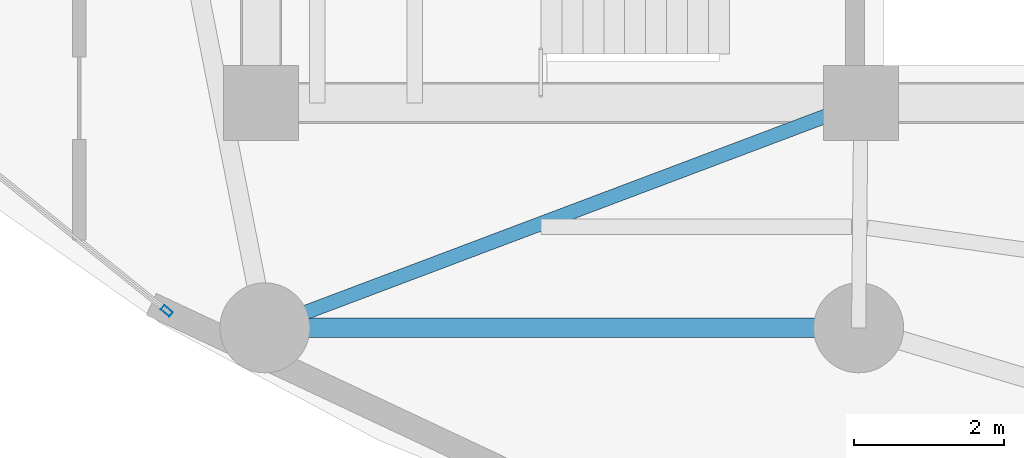
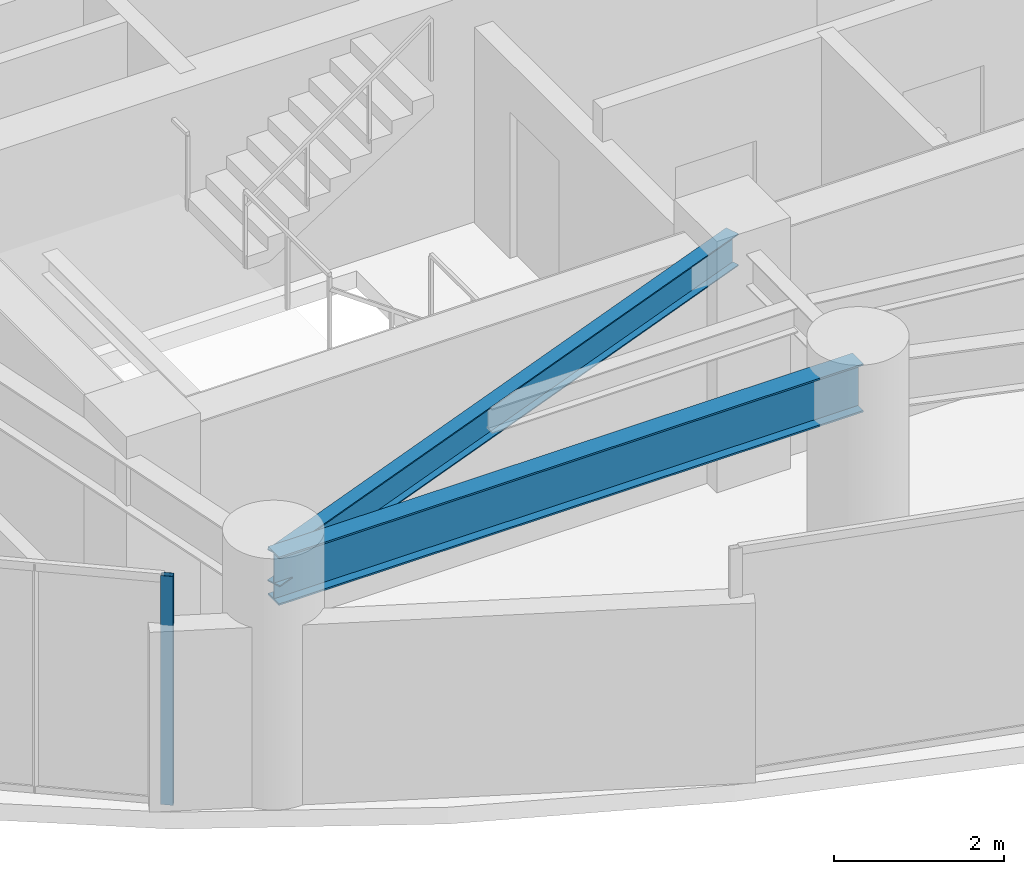
# One storey, part 2 of 33: 2 beams, 1 member, 1 element without a shape of its own.
"""IFC4 building model written with IfcOpenShell, lengths in metres."""

from ifc_helpers import new_model, si_unit, direction, frame, origin, origin_2d, place, context, subcontext, project, spatial, hollow_rectangle, i_section, extrude, material, layer, layer_set, material_profile, profile_set, type_object, element, aggregate, save


model = new_model("IFC4")

# Units and contexts
model_context = context("Model", 3, precision=1e-05, world=origin(), true_north=direction((0.0, 1.0)))
body_context = subcontext(model_context, "Body", "Model", "MODEL_VIEW")
ifc_project = project(units=[si_unit("LENGTHUNIT", "METRE"), si_unit("AREAUNIT", "SQUARE_METRE"), si_unit("VOLUMEUNIT", "CUBIC_METRE"), si_unit("PLANEANGLEUNIT", "RADIAN"), si_unit("MASSUNIT", "GRAM", prefix="KILO")], contexts=[model_context])

# Site, building, storey
site_placement = place(None, origin())
site = spatial("IfcSite", under=ifc_project, at=site_placement, CompositionType="ELEMENT")
building_placement = place(site_placement, origin())
building = spatial("IfcBuilding", under=site, at=building_placement, Name="Kazevale Care Tower and Concert Hall", CompositionType="ELEMENT")
storey_placement = place(building_placement, frame((0.0, 0.0, 178.199951171875)))
storey = spatial("IfcBuildingStorey", under=building, at=storey_placement, Name="L47", CompositionType="ELEMENT", Elevation=178.199951171875)

# Curtain wall, member
ifc_material_1 = material(Name="Aluminium 6063-T6 and Low-E Glass", Category="aluminium")
ifc_layer = layer(ifc_material_1, 0.179931640625)
ifc_layer_set = layer_set([ifc_layer], Name="Aluminium 6063-T6 and Low-E Glass")
curtain_wall_type = type_object("IfcCurtainWallType", Name="Sheltered Concave Balcony Curtain Wall CW-5", PredefinedType="NOTDEFINED", material=ifc_layer_set)
curtain_wall_placement = place(storey_placement, origin())
curtain_wall = element("IfcCurtainWall", 1, at=curtain_wall_placement, inside=storey, type_object=curtain_wall_type, Name="cw:L47:f10", PredefinedType="NOTDEFINED")
ifc_material_2 = material(Name="Aluminium 6063-T6", Category="aluminium")
ifc_material_profile_1 = material_profile(ifc_material_2, hollow_rectangle(XDim=0.074951171875, YDim=0.14990234375, WallThickness=0.00390625, at=origin_2d()), Name="ALU75x150x4")
ifc_profile_set_1 = profile_set([ifc_material_profile_1], Name="Aluminium 6063-T6")
member_type = type_object("IfcMemberType", Name="CW-5 Mullion ALU75x150x4", PredefinedType="MULLION", material=ifc_profile_set_1)
member_placement = place(storey_placement, frame((20.74072265625, 20.826416015625, 0.0), z_axis=(0.0, 0.0, 1.0), x_axis=(-0.626905357502, -0.779095419531, 0.0)))
member = element("IfcMember", 2, at=member_placement, type_object=member_type, Name="CW-5 mullion 1", PredefinedType="MULLION", context=body_context, shape_type="SweptSolid", body=[
    extrude(hollow_rectangle(XDim=0.074951171875, YDim=0.14990234375, WallThickness=0.00390625, at=origin_2d()), origin(), (0.0, 0.0, 1.0), 3.280029296875),
])
aggregate(curtain_wall, [member])

# Beams
ifc_material_3 = material(Name="Steel ASTM A572 Gr 50", Category="steel")
ifc_material_profile_2 = material_profile(ifc_material_3, i_section(OverallWidth=0.19091796875, OverallDepth=0.4599609375, WebThickness=0.010009765625, FlangeThickness=0.01611328125, at=origin_2d()), Name="W460x82")
ifc_profile_set_2 = profile_set([ifc_material_profile_2], Name="Steel ASTM A572 Gr 50")
beam_type_1 = type_object("IfcBeamType", Name="Radial Floor Beam W460x82", PredefinedType="BEAM", material=ifc_profile_set_2)
beam_1_placement = place(storey_placement, frame((30.0, 23.60009765625, 3.050048828125), z_axis=(-0.935601002663, -0.353059150592, 0.0), x_axis=(0.353059150592, -0.935601002663, 0.0)))
element("IfcBeam", 3, at=beam_1_placement, inside=storey, type_object=beam_type_1, Name="beam:L47:rad:10", PredefinedType="BEAM", context=body_context, shape_type="SweptSolid", body=[
    extrude(i_section(OverallWidth=0.19091796875, OverallDepth=0.4599609375, WebThickness=0.010009765625, FlangeThickness=0.01611328125, at=origin_2d()), origin(), (0.0, 0.0, 1.0), 8.4970703125),
])
ifc_material_profile_3 = material_profile(ifc_material_3, i_section(OverallWidth=0.256103515625, OverallDepth=0.693115234375, WebThickness=0.014404296875, FlangeThickness=0.023681640625, at=origin_2d()), Name="W690x170")
ifc_profile_set_3 = profile_set([ifc_material_profile_3], Name="Steel ASTM A572 Gr 50")
beam_type_2 = type_object("IfcBeamType", Name="Waist Ring Beam W690x170", PredefinedType="BEAM", material=ifc_profile_set_3)
beam_2_placement = place(storey_placement, frame((22.050048828125, 20.60009765625, 2.93359375), z_axis=(1.0, 0.0, 0.0), x_axis=(0.0, 1.0, 0.0)))
element("IfcBeam", 4, at=beam_2_placement, inside=storey, type_object=beam_type_2, Name="beam:L47:ring:10", PredefinedType="BEAM", context=body_context, shape_type="SweptSolid", body=[
    extrude(i_section(OverallWidth=0.256103515625, OverallDepth=0.693115234375, WebThickness=0.014404296875, FlangeThickness=0.023681640625, at=origin_2d()), origin(), (0.0, 0.0, 1.0), 7.919921875),
])

save(model, "model.ifc")
